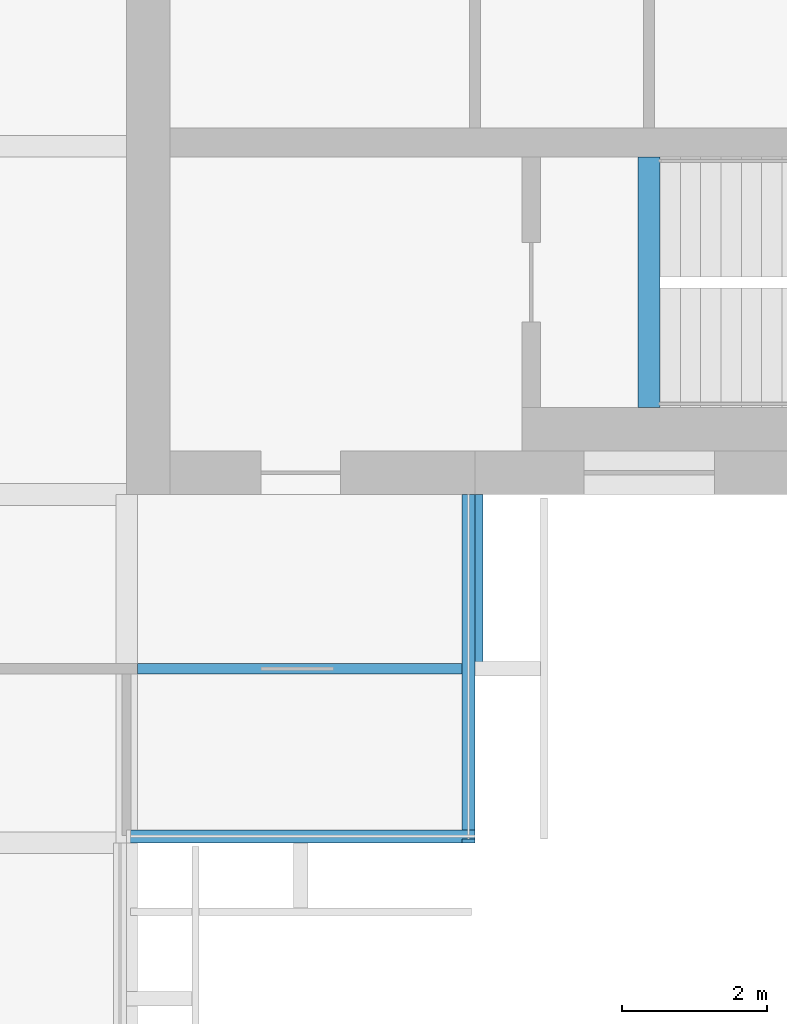
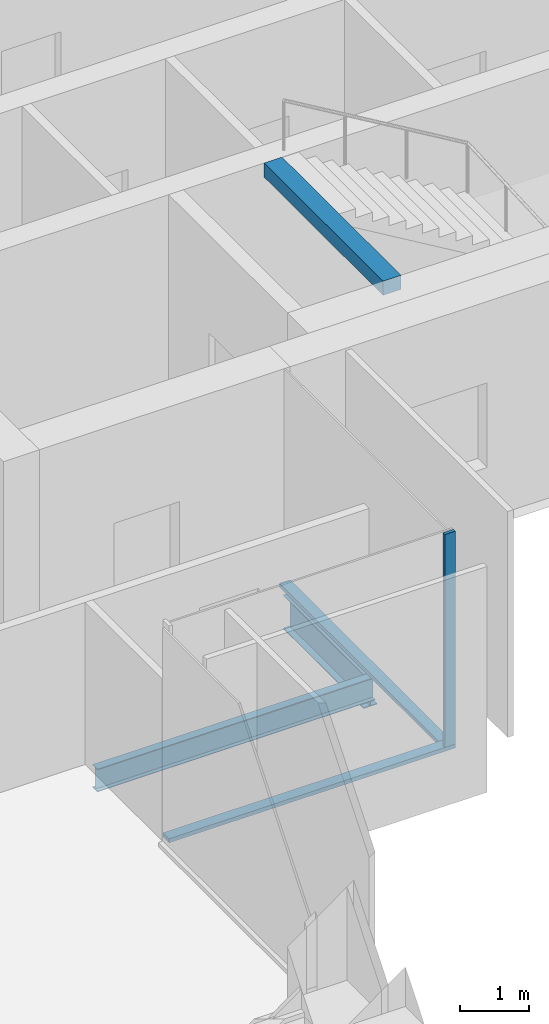
# One storey, part 4 of 13: 3 beams, 3 members, 2 elements without a shape of their own.
"""IFC4 building model written with IfcOpenShell, lengths in metres."""

from ifc_helpers import new_model, si_unit, direction, frame, origin, origin_2d, place, context, subcontext, project, spatial, rectangle, i_section, extrude, material, material_profile, profile_set, type_object, element, aggregate, save


model = new_model("IFC4")

# Units and contexts
model_context = context("Model", 3, precision=1e-05, world=origin(), true_north=direction((0.0, 1.0)))
body_context = subcontext(model_context, "Body", "Model", "MODEL_VIEW")
ifc_project = project(units=[si_unit("LENGTHUNIT", "METRE"), si_unit("AREAUNIT", "SQUARE_METRE"), si_unit("VOLUMEUNIT", "CUBIC_METRE"), si_unit("PLANEANGLEUNIT", "RADIAN"), si_unit("MASSUNIT", "GRAM", prefix="KILO")], contexts=[model_context])

# Site, building, storey
site_placement = place(None, origin())
site = spatial("IfcSite", under=ifc_project, at=site_placement, CompositionType="ELEMENT")
building_placement = place(site_placement, origin())
building = spatial("IfcBuilding", under=site, at=building_placement, Name="Baori Bourse Tower", CompositionType="ELEMENT")
storey_placement = place(building_placement, frame((0.0, 0.0, 330.300048828125)))
storey = spatial("IfcBuildingStorey", under=building, at=storey_placement, Name="L73", CompositionType="ELEMENT", Elevation=330.300048828125)

# Curtain wall, member
ifc_material_1 = material(Name="Pale anodised aluminium", Category="aluminium")
curtain_wall_type = type_object("IfcCurtainWallType", Name="CW2 Curtain wall", PredefinedType="NOTDEFINED", material=ifc_material_1)
curtain_wall_1_placement = place(storey_placement, origin())
curtain_wall_1 = element("IfcCurtainWall", 1, at=curtain_wall_1_placement, inside=storey, type_object=curtain_wall_type, Name="Curtain wall CW2 L73 14", PredefinedType="NOTDEFINED")
ifc_material_2 = material(Name="Pale anodised aluminium", Category="aluminium")
ifc_material_profile_1 = material_profile(ifc_material_2, rectangle(XDim=0.179931640625, YDim=0.054931640625, at=origin_2d()), Name="Mullion 55x180")
ifc_profile_set_1 = profile_set([ifc_material_profile_1], Name="Pale anodised aluminium")
member_type_1 = type_object("IfcMemberType", Name="CW2 Curtain wall mullion", PredefinedType="MULLION", material=ifc_profile_set_1)
member_1_placement = place(storey_placement, frame((43.110107421875, 4.827392578125, 0.070068359375), z_axis=(0.0, 0.0, 1.0), x_axis=(-1.0, 0.0, 0.0)))
member_1 = element("IfcMember", 2, at=member_1_placement, type_object=member_type_1, Name="Curtain wall CW2 mullion", PredefinedType="MULLION", context=body_context, shape_type="SweptSolid", body=[
    extrude(rectangle(XDim=0.179931640625, YDim=0.054931640625, at=origin_2d()), origin(), (0.0, 0.0, 1.0), 3.769775390625),
])

curtain_wall_2_placement = place(storey_placement, origin())
curtain_wall_2 = element("IfcCurtainWall", 3, at=curtain_wall_2_placement, inside=storey, type_object=curtain_wall_type, Name="Curtain wall CW2 L73 13", PredefinedType="NOTDEFINED")
ifc_material_3 = material(Name="Pale anodised aluminium", Category="aluminium")
ifc_material_profile_2 = material_profile(ifc_material_3, rectangle(XDim=0.179931640625, YDim=0.070068359375, at=origin_2d()), Name="Transom 70x180")
ifc_profile_set_2 = profile_set([ifc_material_profile_2], Name="Pale anodised aluminium")
member_type_2 = type_object("IfcMemberType", Name="CW2 Curtain wall transom", PredefinedType="USERDEFINED", material=ifc_profile_set_2)
member_2_placement = place(storey_placement, frame((38.39990234375, 4.889892578125, 0.034912109375), z_axis=(1.0, 0.0, 0.0), x_axis=(0.0, 1.0, 0.0)))
member_2 = element("IfcMember", 4, at=member_2_placement, type_object=member_type_2, Name="Curtain wall CW2 sill rail", ObjectType="TRANSOM", PredefinedType="USERDEFINED", context=body_context, shape_type="SweptSolid", body=[
    extrude(rectangle(XDim=0.179931640625, YDim=0.070068359375, at=origin_2d()), origin(), (0.0, 0.0, 1.0), 4.800048828125),
])
aggregate(curtain_wall_2, [member_2])

# Member
member_3_placement = place(storey_placement, frame((43.110107421875, 4.800048828125, 0.034912109375), z_axis=(0.0, 1.0, 0.0), x_axis=(-1.0, 0.0, 0.0)))
member_3 = element("IfcMember", 5, at=member_3_placement, type_object=member_type_2, Name="Curtain wall CW2 sill rail", ObjectType="TRANSOM", PredefinedType="USERDEFINED", context=body_context, shape_type="SweptSolid", body=[
    extrude(rectangle(XDim=0.179931640625, YDim=0.070068359375, at=origin_2d()), origin(), (0.0, 0.0, 1.0), 4.800048828125),
])

aggregate(curtain_wall_1, [member_3, member_1])

# Beams
ifc_material_4 = material(Name="Steel A992 Gr 50", Category="steel")
ifc_material_profile_3 = material_profile(ifc_material_4, i_section(OverallWidth=0.227783203125, OverallDepth=0.60205078125, WebThickness=0.010498046875, FlangeThickness=0.014892578125, at=origin_2d()), Name="W24x68")
ifc_profile_set_3 = profile_set([ifc_material_profile_3], Name="Steel A992 Gr 50")
beam_type_1 = type_object("IfcBeamType", Name="Core bracket W24x68", PredefinedType="BEAM", material=ifc_profile_set_3)
beam_1_placement = place(storey_placement, frame((43.199951171875, 7.270263671875, -0.4609375), z_axis=(0.0, 1.0, 0.0), x_axis=(-1.0, 0.0, 0.0)))
element("IfcBeam", 6, at=beam_1_placement, inside=storey, type_object=beam_type_1, Name="Core bracket L73", PredefinedType="BEAM", context=body_context, shape_type="SweptSolid", body=[
    extrude(i_section(OverallWidth=0.227783203125, OverallDepth=0.60205078125, WebThickness=0.010498046875, FlangeThickness=0.014892578125, at=origin_2d()), origin(), (0.0, 0.0, 1.0), 2.329833984375),
])
ifc_material_5 = material(Name="Concrete f'c 50 MPa", Category="concrete")
ifc_material_profile_4 = material_profile(ifc_material_5, rectangle(XDim=0.300048828125, YDim=0.25, at=origin_2d()), Name="RC 300x250")
ifc_profile_set_4 = profile_set([ifc_material_profile_4], Name="Concrete f'c 50 MPa")
beam_type_2 = type_object("IfcBeamType", Name="Stair nib beam RC 300x250", PredefinedType="BEAM", material=ifc_profile_set_4)
beam_2_placement = place(storey_placement, frame((45.60009765625, 10.800048828125, 3.71484375), z_axis=(0.0, 1.0, 0.0), x_axis=(-1.0, 0.0, 0.0)))
element("IfcBeam", 7, at=beam_2_placement, inside=storey, type_object=beam_type_2, Name="Stair EA nib beam L74", PredefinedType="BEAM", context=body_context, shape_type="SweptSolid", body=[
    extrude(rectangle(XDim=0.300048828125, YDim=0.25, at=origin_2d()), origin(), (0.0, 0.0, 1.0), 3.449951171875),
])
ifc_material_6 = material(Name="Steel A992 Gr 50", Category="steel")
ifc_material_profile_5 = material_profile(ifc_material_6, i_section(OverallWidth=0.140380859375, OverallDepth=0.40380859375, WebThickness=0.007080078125, FlangeThickness=0.01123046875, at=origin_2d()), Name="W16x31")
ifc_profile_set_5 = profile_set([ifc_material_profile_5], Name="Steel A992 Gr 50")
beam_type_3 = type_object("IfcBeamType", Name="Trimmer beam W16x31", PredefinedType="BEAM", material=ifc_profile_set_5)
beam_3_placement = place(storey_placement, frame((38.546142578125, 7.199951171875, -0.362060546875), z_axis=(1.0, 0.0, 0.0), x_axis=(0.0, 1.0, 0.0)))
element("IfcBeam", 8, at=beam_3_placement, inside=storey, type_object=beam_type_3, Name="Trimmer beam L73", PredefinedType="BEAM", context=body_context, shape_type="SweptSolid", body=[
    extrude(i_section(OverallWidth=0.140380859375, OverallDepth=0.40380859375, WebThickness=0.007080078125, FlangeThickness=0.01123046875, at=origin_2d()), origin(), (0.0, 0.0, 1.0), 4.65380859375),
])

save(model, "model.ifc")
